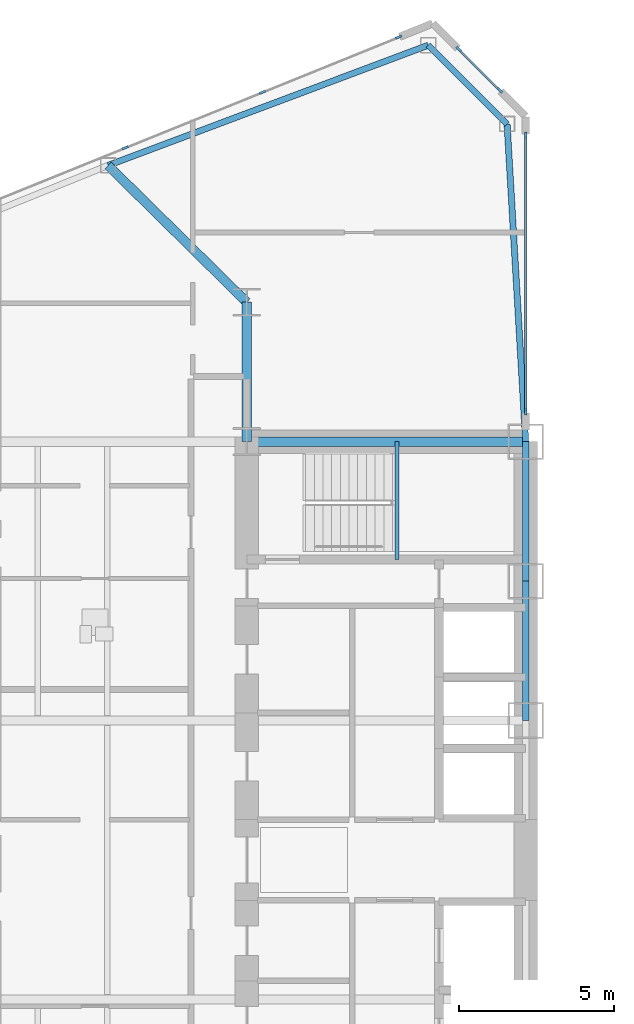
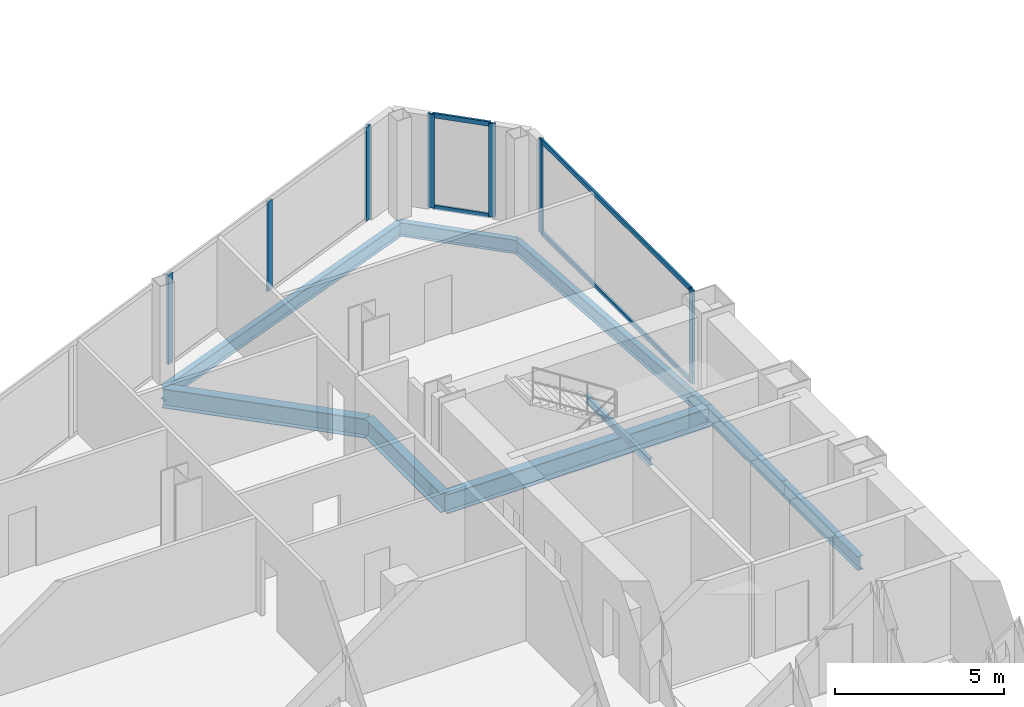
# One storey, part 8 of 25: 11 members, 9 beams, 3 elements without a shape of their own.
"""IFC4 building model written with IfcOpenShell, lengths in metres."""

from ifc_helpers import new_model, si_unit, direction, frame, origin, origin_2d, place, context, subcontext, project, spatial, rectangle, i_section, extrude, source, transform, mapped, material, layer, layer_set, material_profile, profile_set, type_object, type_shapes, element, aggregate, save


model = new_model("IFC4")

# Units and contexts
model_context = context("Model", 3, precision=1e-05, world=origin(), true_north=direction((0.0, 1.0)))
body_context = subcontext(model_context, "Body", "Model", "MODEL_VIEW")
ifc_project = project(units=[si_unit("LENGTHUNIT", "METRE"), si_unit("AREAUNIT", "SQUARE_METRE"), si_unit("VOLUMEUNIT", "CUBIC_METRE"), si_unit("PLANEANGLEUNIT", "RADIAN"), si_unit("MASSUNIT", "GRAM", prefix="KILO")], contexts=[model_context])

# Site, building, storey
site_placement = place(None, origin())
site = spatial("IfcSite", under=ifc_project, at=site_placement, CompositionType="ELEMENT")
building_placement = place(site_placement, origin())
building = spatial("IfcBuilding", under=site, at=building_placement, Name="Seokmaru Belvedere", CompositionType="ELEMENT")
storey_placement = place(building_placement, frame((0.0, 0.0, 51.300048828125)))
storey = spatial("IfcBuildingStorey", under=building, at=storey_placement, Name="L13", CompositionType="ELEMENT", Elevation=51.300048828125)

# Beams
ifc_material_1 = material(Name="Steel SM355 (355 MPa)", Category="steel")
ifc_material_profile_1 = material_profile(ifc_material_1, i_section(OverallWidth=0.199951171875, OverallDepth=0.5, WebThickness=0.010009765625, FlangeThickness=0.01611328125, at=origin_2d()), Name="H-500x200x10x16")
ifc_profile_set_1 = profile_set([ifc_material_profile_1], Name="Steel SM355 (355 MPa)")
beam_type_1 = type_object("IfcBeamType", Name="Perimeter Spandrel Beam H-500", PredefinedType="SPANDREL", material=ifc_profile_set_1)
shared_shape_1 = source(origin(), body_context, "Body", "SweptSolid", [
    extrude(i_section(OverallWidth=0.199951171875, OverallDepth=0.5, WebThickness=0.010009765625, FlangeThickness=0.01611328125, at=origin_2d()), origin(), (0.0, 0.0, 1.0), 4.5),
])
for number, where, z_axis, x_axis, name in (
    (1, (-27.5, 4.5, -0.469970703125), (0.0, 1.0, 0.0), (-1.0, 0.0, 0.0), "L13 W Portal Spine Spandrel 4"),
    (2, (-27.5, 9.0, -0.469970703125), (0.0, 1.0, 0.0), (-1.0, 0.0, 0.0), "L13 W Portal Spine Spandrel 5"),
):
    element("IfcBeam", number, at=place(storey_placement, frame(where, z_axis=z_axis, x_axis=x_axis)), inside=storey, type_object=beam_type_1, Name=name, PredefinedType="SPANDREL", context=body_context, shape_type="MappedRepresentation", body=[
        mapped(shared_shape_1, transform((0.0, 0.0, 0.0), scale=1.0)),
    ])
ifc_material_profile_2 = material_profile(ifc_material_1, i_section(OverallWidth=0.300048828125, OverallDepth=0.699951171875, WebThickness=0.012939453125, FlangeThickness=0.02392578125, at=origin_2d()), Name="H-700x300x13x24")
ifc_profile_set_2 = profile_set([ifc_material_profile_2], Name="Steel SM355 (355 MPa)")
beam_type_2 = type_object("IfcBeamType", Name="Primary Floor Girder H-700", PredefinedType="BEAM", material=ifc_profile_set_2)
shared_shape_2 = source(origin(), body_context, "Body", "SweptSolid", [
    extrude(i_section(OverallWidth=0.300048828125, OverallDepth=0.699951171875, WebThickness=0.012939453125, FlangeThickness=0.02392578125, at=origin_2d()), origin(), (0.0, 0.0, 1.0), 4.5),
])
beam_1_placement = place(storey_placement, frame((-36.5, 13.5, -0.570068359375), z_axis=(0.0, 1.0, 0.0), x_axis=(-1.0, 0.0, 0.0)))
element("IfcBeam", 3, at=beam_1_placement, inside=storey, type_object=beam_type_2, Name="L13 W Core Shoulder Girder N", PredefinedType="BEAM", context=body_context, shape_type="MappedRepresentation", body=[
    mapped(shared_shape_2, transform((0.0, 0.0, 0.0), scale=1.0)),
])
shared_shape_3 = source(origin(), body_context, "Body", "SweptSolid", [
    extrude(i_section(OverallWidth=0.300048828125, OverallDepth=0.699951171875, WebThickness=0.012939453125, FlangeThickness=0.02392578125, at=origin_2d()), origin(), (0.0, 0.0, 1.0), 9.0),
])
beam_2_placement = place(storey_placement, frame((-36.5, 13.5, -0.570068359375), z_axis=(1.0, 0.0, 0.0), x_axis=(0.0, 1.0, 0.0)))
element("IfcBeam", 4, at=beam_2_placement, inside=storey, type_object=beam_type_2, Name="L13 W Core Tie Girder 4", PredefinedType="BEAM", context=body_context, shape_type="MappedRepresentation", body=[
    mapped(shared_shape_3, transform((0.0, 0.0, 0.0), scale=1.0)),
])
shared_shape_4 = source(origin(), body_context, "Body", "SweptSolid", [
    extrude(i_section(OverallWidth=0.199951171875, OverallDepth=0.5, WebThickness=0.010009765625, FlangeThickness=0.01611328125, at=origin_2d()), origin(), (0.0, 0.0, 1.0), 11.03857421875),
])
beam_3_placement = place(storey_placement, frame((-30.643310546875, 26.294677734375, -0.469970703125), z_axis=(-0.936169110734, -0.351549990907, 0.0), x_axis=(0.351549990907, -0.936169110734, 0.0)))
element("IfcBeam", 5, at=beam_3_placement, inside=storey, type_object=beam_type_1, Name="L13 W Faceted Flank Spandrel N-1", PredefinedType="SPANDREL", context=body_context, shape_type="MappedRepresentation", body=[
    mapped(shared_shape_4, transform((0.0, 0.0, 0.0), scale=1.0)),
])
shared_shape_5 = source(origin(), body_context, "Body", "SweptSolid", [
    extrude(i_section(OverallWidth=0.199951171875, OverallDepth=0.5, WebThickness=0.010009765625, FlangeThickness=0.01611328125, at=origin_2d()), origin(), (0.0, 0.0, 1.0), 3.5966796875),
])
beam_4_placement = place(storey_placement, frame((-30.643310546875, 26.294677734375, -0.469970703125), z_axis=(0.707106781187, -0.707106781187, 0.0), x_axis=(0.707106781187, 0.707106781187, 0.0)))
element("IfcBeam", 6, at=beam_4_placement, inside=storey, type_object=beam_type_1, Name="L13 W Shoulder Chamfer Spandrel N", PredefinedType="SPANDREL", context=body_context, shape_type="MappedRepresentation", body=[
    mapped(shared_shape_5, transform((0.0, 0.0, 0.0), scale=1.0)),
])
shared_shape_6 = source(origin(), body_context, "Body", "SweptSolid", [
    extrude(i_section(OverallWidth=0.199951171875, OverallDepth=0.5, WebThickness=0.010009765625, FlangeThickness=0.01611328125, at=origin_2d()), origin(), (0.0, 0.0, 1.0), 10.26904296875),
])
type_shapes(beam_type_1, [shared_shape_1, shared_shape_4, shared_shape_5, shared_shape_6])
beam_5_placement = place(storey_placement, frame((-28.10009765625, 23.75146484375, -0.469970703125), z_axis=(0.058437709399, -0.998291056817, 0.0), x_axis=(0.998291056817, 0.058437709399, 0.0)))
element("IfcBeam", 7, at=beam_5_placement, inside=storey, type_object=beam_type_1, Name="L13 W Shoulder Spine Spandrel N", PredefinedType="SPANDREL", context=body_context, shape_type="MappedRepresentation", body=[
    mapped(shared_shape_6, transform((0.0, 0.0, 0.0), scale=1.0)),
])
shared_shape_7 = source(origin(), body_context, "Body", "SweptSolid", [
    extrude(i_section(OverallWidth=0.300048828125, OverallDepth=0.699951171875, WebThickness=0.012939453125, FlangeThickness=0.02392578125, at=origin_2d()), origin(), (0.0, 0.0, 1.0), 6.287353515625),
])
type_shapes(beam_type_2, [shared_shape_2, shared_shape_3, shared_shape_7])
beam_6_placement = place(storey_placement, frame((-40.977294921875, 22.4140625, -0.570068359375), z_axis=(0.712117485263, -0.702060315915, 0.0), x_axis=(0.702060315915, 0.712117485263, 0.0)))
element("IfcBeam", 8, at=beam_6_placement, inside=storey, type_object=beam_type_2, Name="L13 W Flank Radial Floor Girder N-1", PredefinedType="BEAM", context=body_context, shape_type="MappedRepresentation", body=[
    mapped(shared_shape_7, transform((0.0, 0.0, 0.0), scale=1.0)),
])

# Curtain wall, members
ifc_material_2 = material(Name="Bronze Triple Insulating Glass", Category="glass")
ifc_layer = layer(ifc_material_2, 0.2099609375)
ifc_layer_set = layer_set([ifc_layer], Name="Bronze Triple Insulating Glass")
curtain_wall_type = type_object("IfcCurtainWallType", Name="Low-Rise Faceted Crystal Curtain Wall System CW-2", PredefinedType="NOTDEFINED", material=ifc_layer_set)
curtain_wall_1_placement = place(storey_placement, origin())
curtain_wall_1 = element("IfcCurtainWall", 9, at=curtain_wall_1_placement, inside=storey, type_object=curtain_wall_type, Name="L13 Curtain Wall WSP_2", PredefinedType="NOTDEFINED")
ifc_material_3 = material(Name="Anodised Bronze Aluminium", Category="aluminium")
ifc_material_profile_3 = material_profile(ifc_material_3, rectangle(XDim=0.070068359375, YDim=0.1650390625, at=origin_2d()), Name="CW-T-70x165")
ifc_profile_set_3 = profile_set([ifc_material_profile_3], Name="Anodised Bronze Aluminium")
member_type_1 = type_object("IfcMemberType", Name="Bronze Unitised Transom 70x165", PredefinedType="USERDEFINED", material=ifc_profile_set_3)
shared_shape_8 = source(origin(), body_context, "Body", "SweptSolid", [
    extrude(rectangle(XDim=0.070068359375, YDim=0.1650390625, at=origin_2d()), origin(), (0.0, 0.0, 1.0), 8.85009765625),
])
member_1_placement = place(storey_placement, frame((-27.5, 14.5048828125, 0.034912109375), z_axis=(0.0, 1.0, 0.0), x_axis=(-1.0, 0.0, 0.0)))
member_1 = element("IfcMember", 10, at=member_1_placement, type_object=member_type_1, Name="CW:L13:WSP_2 Continuous Transom 1", ObjectType="TRANSOM", PredefinedType="USERDEFINED", context=body_context, shape_type="MappedRepresentation", body=[
    mapped(shared_shape_8, transform((0.0, 0.0, 0.0), scale=1.0)),
])
member_2_placement = place(storey_placement, frame((-27.5, 14.5048828125, 3.344970703125), z_axis=(0.0, 1.0, 0.0), x_axis=(-1.0, 0.0, 0.0)))
member_2 = element("IfcMember", 11, at=member_2_placement, type_object=member_type_1, Name="CW:L13:WSP_2 Continuous Transom 2", ObjectType="TRANSOM", PredefinedType="USERDEFINED", context=body_context, shape_type="MappedRepresentation", body=[
    mapped(shared_shape_8, transform((0.0, 0.0, 0.0), scale=1.0)),
])

curtain_wall_2_placement = place(storey_placement, origin())
curtain_wall_2 = element("IfcCurtainWall", 12, at=curtain_wall_2_placement, inside=storey, type_object=curtain_wall_type, Name="L13 Curtain Wall WF2", PredefinedType="NOTDEFINED")
shared_shape_9 = source(origin(), body_context, "Body", "SweptSolid", [
    extrude(rectangle(XDim=0.070068359375, YDim=0.1650390625, at=origin_2d()), origin(), (0.0, 0.0, 1.0), 1.792724609375),
])
type_shapes(member_type_1, [shared_shape_8, shared_shape_9])
member_3_placement = place(storey_placement, frame((-28.3662109375, 24.8662109375, 0.034912109375), z_axis=(-0.707106781187, 0.707106781187, 0.0), x_axis=(-0.707106781187, -0.707106781187, 0.0)))
member_3 = element("IfcMember", 13, at=member_3_placement, type_object=member_type_1, Name="CW:L13:WF2 Continuous Transom 1", ObjectType="TRANSOM", PredefinedType="USERDEFINED", context=body_context, shape_type="MappedRepresentation", body=[
    mapped(shared_shape_9, transform((0.0, 0.0, 0.0), scale=1.0)),
])
member_4_placement = place(storey_placement, frame((-28.3662109375, 24.8662109375, 3.344970703125), z_axis=(-0.707106781187, 0.707106781187, 0.0), x_axis=(-0.707106781187, -0.707106781187, 0.0)))
member_4 = element("IfcMember", 14, at=member_4_placement, type_object=member_type_1, Name="CW:L13:WF2 Continuous Transom 2", ObjectType="TRANSOM", PredefinedType="USERDEFINED", context=body_context, shape_type="MappedRepresentation", body=[
    mapped(shared_shape_9, transform((0.0, 0.0, 0.0), scale=1.0)),
])

curtain_wall_3_placement = place(storey_placement, origin())
curtain_wall_3 = element("IfcCurtainWall", 15, at=curtain_wall_3_placement, inside=storey, type_object=curtain_wall_type, Name="L13 Curtain Wall WF3", PredefinedType="NOTDEFINED")
ifc_material_profile_4 = material_profile(ifc_material_3, rectangle(XDim=0.074951171875, YDim=0.2099609375, at=origin_2d()), Name="CW-M-75x210")
ifc_profile_set_4 = profile_set([ifc_material_profile_4], Name="Anodised Bronze Aluminium")
member_type_2 = type_object("IfcMemberType", Name="Bronze Unitised Mullion 75x210", PredefinedType="MULLION", material=ifc_profile_set_4)
shared_shape_10 = source(origin(), body_context, "Body", "SweptSolid", [
    extrude(rectangle(XDim=0.074951171875, YDim=0.2099609375, at=origin_2d()), origin(), (0.0, 0.0, 1.0), 3.239990234375),
])
member_5_placement = place(storey_placement, frame((-35.995849609375, 24.775390625, 0.070068359375), z_axis=(0.0, 0.0, 1.0), x_axis=(0.375192321888, -0.926946989637, 0.0)))
member_5 = element("IfcMember", 16, at=member_5_placement, type_object=member_type_2, Name="CW:L13:WF3 Mullion 2", PredefinedType="MULLION", context=body_context, shape_type="MappedRepresentation", body=[
    mapped(shared_shape_10, transform((0.0, 0.0, 0.0), scale=1.0)),
])
member_6_placement = place(storey_placement, frame((-40.425537109375, 22.982421875, 0.070068359375), z_axis=(0.0, 0.0, 1.0), x_axis=(0.375192321888, -0.926946989637, 0.0)))
member_6 = element("IfcMember", 17, at=member_6_placement, type_object=member_type_2, Name="CW:L13:WF3 Mullion 3", PredefinedType="MULLION", context=body_context, shape_type="MappedRepresentation", body=[
    mapped(shared_shape_10, transform((0.0, 0.0, 0.0), scale=1.0)),
])

# Member
shared_shape_11 = source(origin(), body_context, "Body", "SweptSolid", [
    extrude(rectangle(XDim=0.074951171875, YDim=0.2099609375, at=origin_2d()), origin(), (0.0, 0.0, 1.0), 3.3798828125),
])
type_shapes(member_type_2, [shared_shape_10, shared_shape_11])
member_7_placement = place(storey_placement, frame((-27.5, 14.467529296875, 0.0), z_axis=(0.0, 0.0, 1.0), x_axis=(-1.0, 0.0, 0.0)))
member_7 = element("IfcMember", 18, at=member_7_placement, type_object=member_type_2, Name="CW:L13:WSP_2 Mullion 1", PredefinedType="MULLION", context=body_context, shape_type="MappedRepresentation", body=[
    mapped(shared_shape_11, transform((0.0, 0.0, 0.0), scale=1.0)),
])

member_8_placement = place(storey_placement, frame((-27.5, 23.392578125, 0.0), z_axis=(0.0, 0.0, 1.0), x_axis=(-1.0, 0.0, 0.0)))
member_8 = element("IfcMember", 19, at=member_8_placement, type_object=member_type_2, Name="CW:L13:WSP_2 Mullion 2", PredefinedType="MULLION", context=body_context, shape_type="MappedRepresentation", body=[
    mapped(shared_shape_11, transform((0.0, 0.0, 0.0), scale=1.0)),
])

aggregate(curtain_wall_1, [member_7, member_8, member_1, member_2])

member_9_placement = place(storey_placement, frame((-28.339599609375, 24.839599609375, 0.0), z_axis=(0.0, 0.0, 1.0), x_axis=(-0.707106781187, -0.707106781187, 0.0)))
member_9 = element("IfcMember", 20, at=member_9_placement, type_object=member_type_2, Name="CW:L13:WF2 Mullion 1", PredefinedType="MULLION", context=body_context, shape_type="MappedRepresentation", body=[
    mapped(shared_shape_11, transform((0.0, 0.0, 0.0), scale=1.0)),
])

member_10_placement = place(storey_placement, frame((-29.660400390625, 26.160400390625, 0.0), z_axis=(0.0, 0.0, 1.0), x_axis=(-0.707106781187, -0.707106781187, 0.0)))
member_10 = element("IfcMember", 21, at=member_10_placement, type_object=member_type_2, Name="CW:L13:WF2 Mullion 2", PredefinedType="MULLION", context=body_context, shape_type="MappedRepresentation", body=[
    mapped(shared_shape_11, transform((0.0, 0.0, 0.0), scale=1.0)),
])

aggregate(curtain_wall_2, [member_9, member_10, member_3, member_4])

member_11_placement = place(storey_placement, frame((-31.600830078125, 26.554443359375, 0.0), z_axis=(0.0, 0.0, 1.0), x_axis=(0.375192321888, -0.926946989637, 0.0)))
member_11 = element("IfcMember", 22, at=member_11_placement, type_object=member_type_2, Name="CW:L13:WF3 Mullion 1", PredefinedType="MULLION", context=body_context, shape_type="MappedRepresentation", body=[
    mapped(shared_shape_11, transform((0.0, 0.0, 0.0), scale=1.0)),
])

aggregate(curtain_wall_3, [member_11, member_5, member_6])

# Beam
ifc_material_profile_5 = material_profile(ifc_material_1, i_section(OverallWidth=0.125, OverallDepth=0.25, WebThickness=0.006103515625, FlangeThickness=0.009033203125, at=origin_2d()), Name="H-250x125x6x9")
ifc_profile_set_5 = profile_set([ifc_material_profile_5], Name="Steel SM355 (355 MPa)")
beam_type_3 = type_object("IfcBeamType", Name="Stair Mid-Landing Support Beam H-250", PredefinedType="JOIST", material=ifc_profile_set_5)
shared_shape_12 = source(origin(), body_context, "Body", "SweptSolid", [
    extrude(i_section(OverallWidth=0.125, OverallDepth=0.25, WebThickness=0.006103515625, FlangeThickness=0.009033203125, at=origin_2d()), origin(), (0.0, 0.0, 1.0), 3.800048828125),
])
type_shapes(beam_type_3, [shared_shape_12])
beam_7_placement = place(storey_placement, frame((-31.64990234375, 9.699951171875, 1.474853515625), z_axis=(0.0, 1.0, 0.0), x_axis=(-1.0, 0.0, 0.0)))
element("IfcBeam", 23, at=beam_7_placement, inside=storey, type_object=beam_type_3, Name="L13 Stair ST-W2 Mid-Landing Support Beam 1", PredefinedType="JOIST", context=body_context, shape_type="MappedRepresentation", body=[
    mapped(shared_shape_12, transform((0.0, 0.0, 0.0), scale=1.0)),
])

save(model, "model.ifc")
